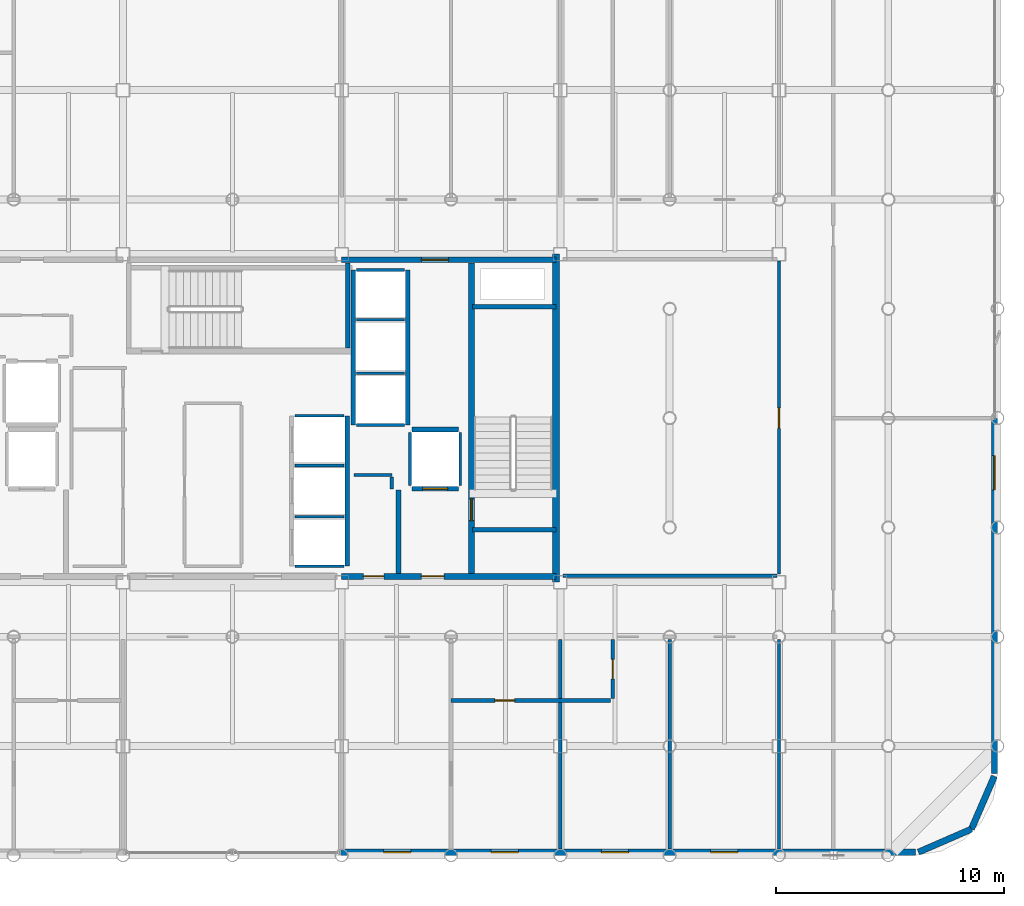
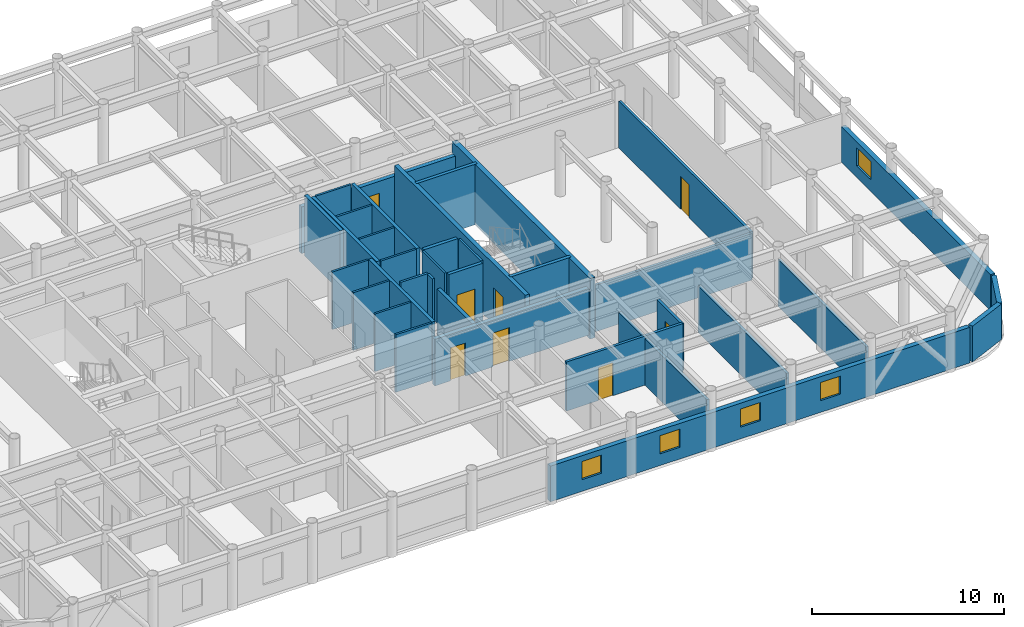
# One storey, part 20 of 22: 36 walls, 8 doors, 5 windows, 13 openings.
"""IFC4 building model written with IfcOpenShell, lengths in metres."""

from ifc_helpers import new_model, si_unit, direction, frame, frame_2d, origin, place, context, subcontext, project, spatial, rectangle, extrude, material, layer, layer_set, type_object, element, fill, save


model = new_model("IFC4")

# Units and contexts
model_context = context("Model", 3, precision=1e-05, world=origin(), true_north=direction((0.0, 1.0)))
body_context = subcontext(model_context, "Body", "Model", "MODEL_VIEW")
ifc_project = project(units=[si_unit("LENGTHUNIT", "METRE"), si_unit("AREAUNIT", "SQUARE_METRE"), si_unit("VOLUMEUNIT", "CUBIC_METRE"), si_unit("PLANEANGLEUNIT", "RADIAN"), si_unit("MASSUNIT", "GRAM", prefix="KILO")], contexts=[model_context])

# Site, building, storey
site_placement = place(None, origin())
site = spatial("IfcSite", under=ifc_project, at=site_placement, CompositionType="ELEMENT")
building_placement = place(site_placement, origin())
building = spatial("IfcBuilding", under=site, at=building_placement, Name="Kallvorn Hotel Tower", CompositionType="ELEMENT")
storey_placement = place(building_placement, frame((0.0, 0.0, 241.550048828125)))
storey = spatial("IfcBuildingStorey", under=building, at=storey_placement, Name="L60", CompositionType="ELEMENT", Elevation=241.550048828125)

# Wall
ifc_material_1 = material(Name="Concrete C50/60", Category="concrete")
ifc_layer_1 = layer(ifc_material_1, 0.300048828125)
ifc_layer_set_1 = layer_set([ifc_layer_1], Name="WL_CORE_300")
wall_type_1 = type_object("IfcWallType", Name="WL_CORE_300", PredefinedType="SHEAR", material=ifc_layer_set_1)
wall_1_placement = place(storey_placement, frame((14.215087890625, -7.199951171875, -0.179931640625), z_axis=(0.0, 0.0, 1.0), x_axis=(0.0, 1.0, 0.0)))
element("IfcWall", 1, at=wall_1_placement, inside=storey, type_object=wall_type_1, Name="L60 Core East Shear Wall", PredefinedType="SHEAR", context=body_context, shape_type="SweptSolid", body=[
    extrude(rectangle(XDim=14.39990234375, YDim=0.300048828125, at=frame_2d((7.199951171875, 0.0))), origin(), (0.0, 0.0, 1.0), 3.849853515625),
])

# Wall, opening, door
ifc_material_2 = material(Name="Fire-rated double-layer acoustic gypsum drywall EI 60")
ifc_layer_2 = layer(ifc_material_2, 0.159912109375)
ifc_layer_set_2 = layer_set([ifc_layer_2], Name="WL_DEMISE_160")
wall_type_2 = type_object("IfcWallType", Name="WL_DEMISE_160", PredefinedType="PARTITIONING", material=ifc_layer_set_2)
wall_2_placement = place(storey_placement, frame((9.60009765625, -12.39501953125, 0.0), z_axis=(0.0, 0.0, 1.0), x_axis=(1.0, 0.0, 0.0)))
wall_2 = element("IfcWall", 2, at=wall_2_placement, inside=storey, type_object=wall_type_2, Name="L60 Suite 6003 Executive Bedroom Partition", PredefinedType="PARTITIONING", context=body_context, shape_type="SweptSolid", body=[
    extrude(rectangle(XDim=7.010009765625, YDim=0.159912109375, at=frame_2d((3.5048828125, 0.0))), origin(), (0.0, 0.0, 1.0), 3.119873046875),
])
opening_1_placement = place(wall_2_placement, frame((1.929931640625, 0.0, 0.0)))
opening_1 = element("IfcOpeningElement", 3, at=opening_1_placement, cuts=wall_2, Name="Opening BD-I", PredefinedType="OPENING", context=body_context, shape_type="SweptSolid", body=[
    extrude(rectangle(XDim=0.860107421875, YDim=2.10009765625, at=frame_2d((0.43017578125, 1.050048828125))), frame((0.0, 0.094970703125, 0.0), z_axis=(0.0, -1.0, 0.0), x_axis=(1.0, 0.0, 0.0)), (0.0, 0.0, 1.0), 0.18994140625),
])
ifc_material_3 = material(Name="Solid-core walnut veneer fire-rated timber door leaf", Category="wood")
door_type_1 = type_object("IfcDoorType", Name="DR_BATH_860x2100", OperationType="NOTDEFINED", PredefinedType="DOOR", material=ifc_material_3)
door_1_placement = place(opening_1_placement, origin())
door_1 = element("IfcDoor", 4, at=door_1_placement, inside=storey, type_object=door_type_1, Name="L60 Suite 6003 En-Suite Bathroom Door", OperationType="SINGLE_SWING_RIGHT", OverallHeight=2.10009765625, OverallWidth=0.860107421875, PredefinedType="DOOR", context=body_context, shape_type="SweptSolid", body=[
    extrude(rectangle(XDim=0.860107421875, YDim=2.10009765625, at=frame_2d((0.43017578125, 1.050048828125))), frame((0.0, 0.02490234375, 0.0), z_axis=(0.0, -1.0, 0.0), x_axis=(1.0, 0.0, 0.0)), (0.0, 0.0, 1.0), 0.050048828125),
])
fill(opening_1, door_1)

# Wall
wall_3_placement = place(storey_placement, frame((14.39990234375, -18.909912109375, 0.0), z_axis=(0.0, 0.0, 1.0), x_axis=(0.0, 1.0, 0.0)))
element("IfcWall", 5, at=wall_3_placement, inside=storey, type_object=wall_type_2, Name="L60 Suite 6003 Executive Bedroom Partition", PredefinedType="PARTITIONING", context=body_context, shape_type="SweptSolid", body=[
    extrude(rectangle(XDim=9.18994140625, YDim=0.159912109375, at=frame_2d((4.594970703125, 0.0))), origin(), (0.0, 0.0, 1.0), 2.969970703125),
])

# Wall, opening, door
wall_4_placement = place(storey_placement, frame((16.705078125, -12.31005859375, 0.0), z_axis=(0.0, 0.0, 1.0), x_axis=(0.0, 1.0, 0.0)))
wall_4 = element("IfcWall", 6, at=wall_4_placement, inside=storey, type_object=wall_type_2, Name="L60 Suite 6004 Deluxe King Room Partition", PredefinedType="PARTITIONING", context=body_context, shape_type="SweptSolid", body=[
    extrude(rectangle(XDim=2.590087890625, YDim=0.159912109375, at=frame_2d((1.294921875, 0.0))), origin(), (0.0, 0.0, 1.0), 2.969970703125),
])
opening_2_placement = place(wall_4_placement, frame((0.860107421875, 0.0, 0.0)))
opening_2 = element("IfcOpeningElement", 7, at=opening_2_placement, cuts=wall_4, Name="Opening BD-I", PredefinedType="OPENING", context=body_context, shape_type="SweptSolid", body=[
    extrude(rectangle(XDim=0.860107421875, YDim=2.10009765625, at=frame_2d((0.43017578125, 1.050048828125))), frame((0.0, 0.094970703125, 0.0), z_axis=(0.0, -1.0, 0.0), x_axis=(1.0, 0.0, 0.0)), (0.0, 0.0, 1.0), 0.18994140625),
])
door_2_placement = place(opening_2_placement, origin())
door_2 = element("IfcDoor", 8, at=door_2_placement, inside=storey, type_object=door_type_1, Name="L60 Suite 6004 En-Suite Bathroom Door", OperationType="SINGLE_SWING_RIGHT", OverallHeight=2.10009765625, OverallWidth=0.860107421875, PredefinedType="DOOR", context=body_context, shape_type="SweptSolid", body=[
    extrude(rectangle(XDim=0.860107421875, YDim=2.10009765625, at=frame_2d((0.43017578125, 1.050048828125))), frame((0.0, 0.02490234375, 0.0), z_axis=(0.0, -1.0, 0.0), x_axis=(1.0, 0.0, 0.0)), (0.0, 0.0, 1.0), 0.050048828125),
])
fill(opening_2, door_2)

# Walls
wall_5_placement = place(storey_placement, frame((19.199951171875, -18.909912109375, 0.0), z_axis=(0.0, 0.0, 1.0), x_axis=(0.0, 1.0, 0.0)))
element("IfcWall", 9, at=wall_5_placement, inside=storey, type_object=wall_type_2, Name="L60 Suite 6004 Deluxe King Room Partition", PredefinedType="PARTITIONING", context=body_context, shape_type="SweptSolid", body=[
    extrude(rectangle(XDim=9.18994140625, YDim=0.159912109375, at=frame_2d((4.594970703125, 0.0))), origin(), (0.0, 0.0, 1.0), 2.969970703125),
])
ifc_material_4 = material(Name="Precast basalt-clad insulated concrete wall C40/50", Category="masonry")
ifc_layer_3 = layer(ifc_material_4, 0.280029296875)
ifc_layer_set_3 = layer_set([ifc_layer_3], Name="WL_EXT_LOGGIA_280")
wall_type_3 = type_object("IfcWallType", Name="WL_EXT_LOGGIA_280", PredefinedType="SOLIDWALL", material=ifc_layer_set_3)
wall_6_placement = place(storey_placement, frame((30.120849609375, -19.057861328125, 0.0), z_axis=(0.0, 0.0, 1.0), x_axis=(0.917060872934, 0.398747232384, 0.0)))
element("IfcWall", 10, at=wall_6_placement, inside=storey, type_object=wall_type_3, Name="L60 Rounded Corner Exterior Wall SE1", PredefinedType="SOLIDWALL", context=body_context, shape_type="SweptSolid", body=[
    extrude(rectangle(XDim=2.5361328125, YDim=0.280029296875, at=frame_2d((1.26806640625, 0.0))), origin(), (0.0, 0.0, 1.0), 2.27001953125),
])
wall_7_placement = place(storey_placement, frame((32.446533203125, -18.046630859375, 0.0), z_axis=(0.0, 0.0, 1.0), x_axis=(0.398792985289, 0.917040977756, 0.0)))
element("IfcWall", 11, at=wall_7_placement, inside=storey, type_object=wall_type_3, Name="L60 Rounded Corner Exterior Wall SE2", PredefinedType="SOLIDWALL", context=body_context, shape_type="SweptSolid", body=[
    extrude(rectangle(XDim=2.536376953125, YDim=0.280029296875, at=frame_2d((1.26806640625, 0.0))), origin(), (0.0, 0.0, 1.0), 2.27001953125),
])

# Wall, openings, windows
wall_8_placement = place(storey_placement, frame((4.75, -19.06005859375, 0.0), z_axis=(0.0, 0.0, 1.0), x_axis=(1.0, 0.0, 0.0)))
wall_8 = element("IfcWall", 12, at=wall_8_placement, inside=storey, type_object=wall_type_3, Name="L60 Exterior Envelope Wall EW-L60-SE", PredefinedType="SOLIDWALL", context=body_context, shape_type="SweptSolid", body=[
    extrude(rectangle(XDim=25.25, YDim=0.280029296875, at=frame_2d((12.625, 0.0))), origin(), (0.0, 0.0, 1.0), 2.27001953125),
])
opening_3_placement = place(wall_8_placement, frame((16.25, 0.0, 0.75)))
opening_3 = element("IfcOpeningElement", 13, at=opening_3_placement, cuts=wall_8, Name="Opening W06A", PredefinedType="OPENING", context=body_context, shape_type="SweptSolid", body=[
    extrude(rectangle(XDim=1.199951171875, YDim=1.14990234375, at=frame_2d((0.60009765625, 0.574951171875))), frame((0.0, 0.155029296875, 0.0), z_axis=(0.0, -1.0, 0.0), x_axis=(1.0, 0.0, 0.0)), (0.0, 0.0, 1.0), 0.31005859375),
])
opening_4_placement = place(wall_8_placement, frame((1.889892578125, 0.0, 0.75)))
opening_4 = element("IfcOpeningElement", 14, at=opening_4_placement, cuts=wall_8, Name="Opening W06A", PredefinedType="OPENING", context=body_context, shape_type="SweptSolid", body=[
    extrude(rectangle(XDim=1.199951171875, YDim=1.14990234375, at=frame_2d((0.60009765625, 0.574951171875))), frame((0.0, 0.155029296875, 0.0), z_axis=(0.0, -1.0, 0.0), x_axis=(1.0, 0.0, 0.0)), (0.0, 0.0, 1.0), 0.31005859375),
])
opening_5_placement = place(wall_8_placement, frame((6.610107421875, 0.0, 0.75)))
opening_5 = element("IfcOpeningElement", 15, at=opening_5_placement, cuts=wall_8, Name="Opening W06A", PredefinedType="OPENING", context=body_context, shape_type="SweptSolid", body=[
    extrude(rectangle(XDim=1.199951171875, YDim=1.14990234375, at=frame_2d((0.60009765625, 0.574951171875))), frame((0.0, 0.155029296875, 0.0), z_axis=(0.0, -1.0, 0.0), x_axis=(1.0, 0.0, 0.0)), (0.0, 0.0, 1.0), 0.31005859375),
])
opening_6_placement = place(wall_8_placement, frame((11.449951171875, 0.0, 0.75)))
opening_6 = element("IfcOpeningElement", 16, at=opening_6_placement, cuts=wall_8, Name="Opening W06A", PredefinedType="OPENING", context=body_context, shape_type="SweptSolid", body=[
    extrude(rectangle(XDim=1.199951171875, YDim=1.14990234375, at=frame_2d((0.60009765625, 0.574951171875))), frame((0.0, 0.155029296875, 0.0), z_axis=(0.0, -1.0, 0.0), x_axis=(1.0, 0.0, 0.0)), (0.0, 0.0, 1.0), 0.31005859375),
])
ifc_material_5 = material(Name="Triple-glazed low-e acoustic solar-control dark glass", Category="glass")
window_type_1 = type_object("IfcWindowType", Name="WN_HTL_1200x1150", PartitioningType="SINGLE_PANEL", PredefinedType="WINDOW", material=ifc_material_5)
window_1_placement = place(opening_3_placement, origin())
window_1 = element("IfcWindow", 17, at=window_1_placement, inside=storey, type_object=window_type_1, Name="L60 Guestroom Exterior Window 01", OverallHeight=1.14990234375, OverallWidth=1.199951171875, PartitioningType="SINGLE_PANEL", PredefinedType="WINDOW", context=body_context, shape_type="SweptSolid", body=[
    extrude(rectangle(XDim=1.199951171875, YDim=1.14990234375, at=frame_2d((0.60009765625, 0.574951171875))), frame((0.0, 0.030029296875, 0.0), z_axis=(0.0, -1.0, 0.0), x_axis=(1.0, 0.0, 0.0)), (0.0, 0.0, 1.0), 0.06005859375),
])
fill(opening_3, window_1)
window_2_placement = place(opening_4_placement, origin())
window_2 = element("IfcWindow", 18, at=window_2_placement, inside=storey, type_object=window_type_1, Name="L60 Guestroom Exterior Window 07", OverallHeight=1.14990234375, OverallWidth=1.199951171875, PartitioningType="SINGLE_PANEL", PredefinedType="WINDOW", context=body_context, shape_type="SweptSolid", body=[
    extrude(rectangle(XDim=1.199951171875, YDim=1.14990234375, at=frame_2d((0.60009765625, 0.574951171875))), frame((0.0, 0.030029296875, 0.0), z_axis=(0.0, -1.0, 0.0), x_axis=(1.0, 0.0, 0.0)), (0.0, 0.0, 1.0), 0.06005859375),
])
fill(opening_4, window_2)
window_3_placement = place(opening_5_placement, origin())
window_3 = element("IfcWindow", 19, at=window_3_placement, inside=storey, type_object=window_type_1, Name="L60 Guestroom Exterior Window 08", OverallHeight=1.14990234375, OverallWidth=1.199951171875, PartitioningType="SINGLE_PANEL", PredefinedType="WINDOW", context=body_context, shape_type="SweptSolid", body=[
    extrude(rectangle(XDim=1.199951171875, YDim=1.14990234375, at=frame_2d((0.60009765625, 0.574951171875))), frame((0.0, 0.030029296875, 0.0), z_axis=(0.0, -1.0, 0.0), x_axis=(1.0, 0.0, 0.0)), (0.0, 0.0, 1.0), 0.06005859375),
])
fill(opening_5, window_3)
window_4_placement = place(opening_6_placement, origin())
window_4 = element("IfcWindow", 20, at=window_4_placement, inside=storey, type_object=window_type_1, Name="L60 Guestroom Exterior Window 09", OverallHeight=1.14990234375, OverallWidth=1.199951171875, PartitioningType="SINGLE_PANEL", PredefinedType="WINDOW", context=body_context, shape_type="SweptSolid", body=[
    extrude(rectangle(XDim=1.199951171875, YDim=1.14990234375, at=frame_2d((0.60009765625, 0.574951171875))), frame((0.0, 0.030029296875, 0.0), z_axis=(0.0, -1.0, 0.0), x_axis=(1.0, 0.0, 0.0)), (0.0, 0.0, 1.0), 0.06005859375),
])
fill(opening_6, window_4)

# Wall, opening, window
wall_9_placement = place(storey_placement, frame((33.4599609375, -15.60009765625, 0.0), z_axis=(0.0, 0.0, 1.0), x_axis=(0.0, 1.0, 0.0)))
wall_9 = element("IfcWall", 21, at=wall_9_placement, inside=storey, type_object=wall_type_3, Name="L60 Exterior Envelope Wall EW-L60-ES", PredefinedType="SOLIDWALL", context=body_context, shape_type="SweptSolid", body=[
    extrude(rectangle(XDim=15.580078125, YDim=0.280029296875, at=frame_2d((7.7900390625, 0.0))), origin(), (0.0, 0.0, 1.0), 2.27001953125),
])
opening_7_placement = place(wall_9_placement, frame((12.449951171875, 0.0, 0.75)))
opening_7 = element("IfcOpeningElement", 22, at=opening_7_placement, cuts=wall_9, Name="Opening W05A", PredefinedType="OPENING", context=body_context, shape_type="SweptSolid", body=[
    extrude(rectangle(XDim=1.5, YDim=1.14990234375, at=frame_2d((0.75, 0.574951171875))), frame((0.0, 0.155029296875, 0.0), z_axis=(0.0, -1.0, 0.0), x_axis=(1.0, 0.0, 0.0)), (0.0, 0.0, 1.0), 0.31005859375),
])
ifc_material_6 = material(Name="Double-glazed low-e solar-control dark glass", Category="glass")
window_type_2 = type_object("IfcWindowType", Name="WN_HTL_1500x1150", PartitioningType="SINGLE_PANEL", PredefinedType="WINDOW", material=ifc_material_6)
window_5_placement = place(opening_7_placement, origin())
window_5 = element("IfcWindow", 23, at=window_5_placement, inside=storey, type_object=window_type_2, Name="L60 Flank Wing Window 03", OverallHeight=1.14990234375, OverallWidth=1.5, PartitioningType="SINGLE_PANEL", PredefinedType="WINDOW", context=body_context, shape_type="SweptSolid", body=[
    extrude(rectangle(XDim=1.5, YDim=1.14990234375, at=frame_2d((0.75, 0.574951171875))), frame((0.0, 0.030029296875, 0.0), z_axis=(0.0, -1.0, 0.0), x_axis=(1.0, 0.0, 0.0)), (0.0, 0.0, 1.0), 0.06005859375),
])
fill(opening_7, window_5)

# Walls
ifc_material_7 = material(Name="Concrete C40/50", Category="concrete")
ifc_layer_4 = layer(ifc_material_7, 0.219970703125)
ifc_layer_set_4 = layer_set([ifc_layer_4], Name="WL_FFL_220")
wall_type_4 = type_object("IfcWallType", Name="WL_FFL_220", PredefinedType="SOLIDWALL", material=ifc_layer_set_4)
wall_10_placement = place(storey_placement, frame((7.300048828125, -6.820068359375, 0.0), z_axis=(0.0, 0.0, 1.0), x_axis=(0.0, 1.0, 0.0)))
element("IfcWall", 24, at=wall_10_placement, inside=storey, type_object=wall_type_4, Name="L60 Firefighting Lobby East Divider Wall", PredefinedType="SOLIDWALL", context=body_context, shape_type="SweptSolid", body=[
    extrude(rectangle(XDim=3.670166015625, YDim=0.219970703125, at=frame_2d((1.8349609375, 0.0))), origin(), (0.0, 0.0, 1.0), 2.969970703125),
])
ifc_material_8 = material(Name="Concrete C40/50", Category="concrete")
ifc_layer_5 = layer(ifc_material_8, 0.199951171875)
ifc_layer_set_5 = layer_set([ifc_layer_5], Name="WL_HOIST_200")
wall_type_5 = type_object("IfcWallType", Name="WL_HOIST_200", PredefinedType="SOLIDWALL", material=ifc_layer_set_5)
for number, where, z_axis, x_axis, name in (
    (25, (10.550048828125, -4.89990234375, -0.179931640625), (0.0, 0.0, 1.0), (1.0, 0.0, 0.0), "L60 Stair ST2 South Wall"),
    (26, (10.550048828125, 4.89990234375, -0.179931640625), (0.0, 0.0, 1.0), (1.0, 0.0, 0.0), "L60 Stair ST2 North Wall"),
):
    element("IfcWall", number, at=place(storey_placement, frame(where, z_axis=z_axis, x_axis=x_axis)), inside=storey, type_object=wall_type_5, Name=name, PredefinedType="SOLIDWALL", context=body_context, shape_type="SweptSolid", body=[
        extrude(rectangle(XDim=3.64990234375, YDim=0.199951171875, at=frame_2d((1.824951171875, 0.0))), origin(), (0.0, 0.0, 1.0), 3.849853515625),
    ])
wall_11_placement = place(storey_placement, frame((5.06005859375, 3.080078125, -0.179931640625), z_axis=(0.0, 0.0, 1.0), x_axis=(0.0, 1.0, 0.0)))
element("IfcWall", 27, at=wall_11_placement, inside=storey, type_object=wall_type_5, Name="L60 Stair ST3 East Wall", PredefinedType="SOLIDWALL", context=body_context, shape_type="SweptSolid", body=[
    extrude(rectangle(XDim=3.739990234375, YDim=0.199951171875, at=frame_2d((1.8701171875, 0.0))), origin(), (0.0, 0.0, 1.0), 3.849853515625),
])
wall_12_placement = place(storey_placement, frame((5.050048828125, -6.5, 0.0), z_axis=(0.0, 0.0, 1.0), x_axis=(0.0, 1.0, 0.0)))
element("IfcWall", 28, at=wall_12_placement, inside=storey, type_object=wall_type_5, Name="L60 Lift Bank B3A Rear Shaft Wall", PredefinedType="SOLIDWALL", context=body_context, shape_type="SweptSolid", body=[
    extrude(rectangle(XDim=6.60009765625, YDim=0.199951171875, at=frame_2d((3.300048828125, 0.0))), origin(), (0.0, 0.0, 1.0), 3.669921875),
])
for number, where, z_axis, x_axis, name in (
    (29, (7.699951171875, -0.300048828125, 0.0), (0.0, 0.0, 1.0), (0.0, 1.0, 0.0), "L60 Lift Bank OBS Landing Wall"),
    (30, (5.300048828125, -0.300048828125, 0.0), (0.0, 0.0, 1.0), (0.0, 1.0, 0.0), "L60 Lift Bank OBS Rear Shaft Wall"),
):
    element("IfcWall", number, at=place(storey_placement, frame(where, z_axis=z_axis, x_axis=x_axis)), inside=storey, type_object=wall_type_5, Name=name, PredefinedType="SOLIDWALL", context=body_context, shape_type="SweptSolid", body=[
        extrude(rectangle(XDim=6.800048828125, YDim=0.199951171875, at=frame_2d((3.39990234375, 0.0))), origin(), (0.0, 0.0, 1.0), 3.669921875),
    ])

# Wall, opening, door
wall_13_placement = place(storey_placement, frame((7.8798828125, -3.10009765625, 0.0), z_axis=(0.0, 0.0, 1.0), x_axis=(1.0, 0.0, 0.0)))
wall_13 = element("IfcWall", 31, at=wall_13_placement, inside=storey, type_object=wall_type_5, Name="L60 FL-2 Landing Wall", PredefinedType="SOLIDWALL", context=body_context, shape_type="SweptSolid", body=[
    extrude(rectangle(XDim=2.0400390625, YDim=0.199951171875, at=frame_2d((1.02001953125, 0.0))), origin(), (0.0, 0.0, 1.0), 3.669921875),
])
opening_8_placement = place(wall_13_placement, frame((0.469970703125, 0.0, 0.0)))
opening_8 = element("IfcOpeningElement", 32, at=opening_8_placement, cuts=wall_13, Name="Opening LD-FL-2", PredefinedType="OPENING", context=body_context, shape_type="SweptSolid", body=[
    extrude(rectangle(XDim=1.10009765625, YDim=2.199951171875, at=frame_2d((0.550048828125, 1.10009765625))), frame((0.0, 0.114990234375, 0.0), z_axis=(0.0, -1.0, 0.0), x_axis=(1.0, 0.0, 0.0)), (0.0, 0.0, 1.0), 0.22998046875),
])
ifc_material_9 = material(Name="Brushed stainless-steel automatic sliding lift landing door", Category="steel")
door_type_2 = type_object("IfcDoorType", Name="LD_PASS_1100x2200", OperationType="SLIDING_TO_LEFT", PredefinedType="DOOR", material=ifc_material_9)
door_3_placement = place(opening_8_placement, origin())
door_3 = element("IfcDoor", 33, at=door_3_placement, inside=storey, type_object=door_type_2, Name="L60 Lift Landing Sliding Door LD-FL-2", OperationType="SLIDING_TO_LEFT", OverallHeight=2.199951171875, OverallWidth=1.10009765625, PredefinedType="DOOR", context=body_context, shape_type="SweptSolid", body=[
    extrude(rectangle(XDim=1.10009765625, YDim=2.199951171875, at=frame_2d((0.550048828125, 1.10009765625))), frame((0.0, 0.02490234375, 0.0), z_axis=(0.0, -1.0, 0.0), x_axis=(1.0, 0.0, 0.0)), (0.0, 0.0, 1.0), 0.050048828125),
])
fill(opening_8, door_3)

# Walls
wall_14_placement = place(storey_placement, frame((7.8798828125, -0.5, 0.0), z_axis=(0.0, 0.0, 1.0), x_axis=(1.0, 0.0, 0.0)))
element("IfcWall", 34, at=wall_14_placement, inside=storey, type_object=wall_type_5, Name="L60 FL-2 Rear Shaft Wall", PredefinedType="SOLIDWALL", context=body_context, shape_type="SweptSolid", body=[
    extrude(rectangle(XDim=2.0400390625, YDim=0.199951171875, at=frame_2d((1.02001953125, 0.0))), origin(), (0.0, 0.0, 1.0), 3.669921875),
])
ifc_material_10 = material(Name="Fire-rated double-layer acoustic gypsum drywall EI 60")
ifc_layer_6 = layer(ifc_material_10, 0.1201171875)
ifc_layer_set_6 = layer_set([ifc_layer_6], Name="WL_INT_120")
wall_type_6 = type_object("IfcWallType", Name="WL_INT_120", PredefinedType="PARTITIONING", material=ifc_layer_set_6)
for number, where, z_axis, x_axis, name in (
    (35, (2.739990234375, -6.5, 0.0), (0.0, 0.0, 1.0), (1.0, 0.0, 0.0), "L60 Lift Bank B3A South Closure Wall"),
    (36, (2.739990234375, -4.324951171875, 0.0), (0.0, 0.0, 1.0), (1.0, 0.0, 0.0), "L60 PL-09 Hoistway Divider"),
    (37, (2.739990234375, -2.074951171875, 0.0), (0.0, 0.0, 1.0), (1.0, 0.0, 0.0), "L60 PL-10 Hoistway Divider"),
    (38, (2.739990234375, 0.10009765625, 0.0), (0.0, 0.0, 1.0), (1.0, 0.0, 0.0), "L60 PL-11 Hoistway Divider"),
):
    element("IfcWall", number, at=place(storey_placement, frame(where, z_axis=z_axis, x_axis=x_axis)), inside=storey, type_object=wall_type_6, Name=name, PredefinedType="PARTITIONING", context=body_context, shape_type="SweptSolid", body=[
        extrude(rectangle(XDim=2.169921875, YDim=0.1201171875, at=frame_2d((1.0849609375, 0.0))), origin(), (0.0, 0.0, 1.0), 3.669921875),
    ])
for number, where, z_axis, x_axis, name in (
    (39, (5.43994140625, -0.300048828125, 0.0), (0.0, 0.0, 1.0), (1.0, 0.0, 0.0), "L60 Lift Bank OBS South Closure Wall"),
    (40, (5.43994140625, 1.97509765625, 0.0), (0.0, 0.0, 1.0), (1.0, 0.0, 0.0), "L60 OB-01 Hoistway Divider"),
    (41, (5.43994140625, 4.324951171875, 0.0), (0.0, 0.0, 1.0), (1.0, 0.0, 0.0), "L60 OB-02 Hoistway Divider"),
    (42, (5.43994140625, 6.5, 0.0), (0.0, 0.0, 1.0), (1.0, 0.0, 0.0), "L60 OB-03 Hoistway Divider"),
):
    element("IfcWall", number, at=place(storey_placement, frame(where, z_axis=z_axis, x_axis=x_axis)), inside=storey, type_object=wall_type_6, Name=name, PredefinedType="PARTITIONING", context=body_context, shape_type="SweptSolid", body=[
        extrude(rectangle(XDim=2.1201171875, YDim=0.1201171875, at=frame_2d((1.06005859375, 0.0))), origin(), (0.0, 0.0, 1.0), 3.669921875),
    ])
for number, where, z_axis, x_axis, name in (
    (43, (7.800048828125, -2.9599609375, 0.0), (0.0, 0.0, 1.0), (0.0, 1.0, 0.0), "L60 FL-2 West Shaft Wall"),
    (44, (10.0, -2.9599609375, 0.0), (0.0, 0.0, 1.0), (0.0, 1.0, 0.0), "L60 FL-2 East Shaft Wall"),
):
    element("IfcWall", number, at=place(storey_placement, frame(where, z_axis=z_axis, x_axis=x_axis)), inside=storey, type_object=wall_type_6, Name=name, PredefinedType="PARTITIONING", context=body_context, shape_type="SweptSolid", body=[
        extrude(rectangle(XDim=2.320068359375, YDim=0.1201171875, at=frame_2d((1.16015625, 0.0))), origin(), (0.0, 0.0, 1.0), 3.669921875),
    ])
ifc_material_11 = material(Name="Fire-rated double-layer acoustic gypsum drywall EI 60")
ifc_layer_7 = layer(ifc_material_11, 0.14990234375)
ifc_layer_set_7 = layer_set([ifc_layer_7], Name="WL_PART_150")
wall_type_7 = type_object("IfcWallType", Name="WL_PART_150", PredefinedType="PARTITIONING", material=ifc_layer_set_7)
wall_15_placement = place(storey_placement, frame((14.52001953125, -6.919921875, 0.0), z_axis=(0.0, 0.0, 1.0), x_axis=(1.0, 0.0, 0.0)))
element("IfcWall", 45, at=wall_15_placement, inside=storey, type_object=wall_type_7, Name="L60 L60 High-Zone Inner East Club Gallery Partition", PredefinedType="PARTITIONING", context=body_context, shape_type="SweptSolid", body=[
    extrude(rectangle(XDim=9.39990234375, YDim=0.14990234375, at=frame_2d((4.699951171875, 0.0))), origin(), (0.0, 0.0, 1.0), 2.969970703125),
])
wall_16_placement = place(storey_placement, frame((24.0, -18.909912109375, 0.0), z_axis=(0.0, 0.0, 1.0), x_axis=(0.0, 1.0, 0.0)))
element("IfcWall", 46, at=wall_16_placement, inside=storey, type_object=wall_type_7, Name="L60 L60 High-Zone South-East Wine Bar Partition", PredefinedType="PARTITIONING", context=body_context, shape_type="SweptSolid", body=[
    extrude(rectangle(XDim=9.18994140625, YDim=0.14990234375, at=frame_2d((4.594970703125, 0.0))), origin(), (0.0, 0.0, 1.0), 2.969970703125),
])

# Wall, opening, door
wall_17_placement = place(storey_placement, frame((24.0, -6.8349609375, 0.0), z_axis=(0.0, 0.0, 1.0), x_axis=(0.0, 1.0, 0.0)))
wall_17 = element("IfcWall", 47, at=wall_17_placement, inside=storey, type_object=wall_type_7, Name="L60 L60 High-Zone Inner East Club Gallery Partition", PredefinedType="PARTITIONING", context=body_context, shape_type="SweptSolid", body=[
    extrude(rectangle(XDim=13.72998046875, YDim=0.14990234375, at=frame_2d((6.864990234375, 0.0))), origin(), (0.0, 0.0, 1.0), 2.969970703125),
])
opening_9_placement = place(wall_17_placement, frame((6.385009765625, 0.0, 0.0)))
opening_9 = element("IfcOpeningElement", 48, at=opening_9_placement, cuts=wall_17, Name="Opening SVD1", PredefinedType="OPENING", context=body_context, shape_type="SweptSolid", body=[
    extrude(rectangle(XDim=0.89990234375, YDim=2.10009765625, at=frame_2d((0.449951171875, 1.050048828125))), frame((0.0, 0.08984375, 0.0), z_axis=(0.0, -1.0, 0.0), x_axis=(1.0, 0.0, 0.0)), (0.0, 0.0, 1.0), 0.179931640625),
])
ifc_material_12 = material(Name="Galvanised painted steel fire-rated door assembly", Category="steel")
door_type_3 = type_object("IfcDoorType", Name="DR_SERV_900x2100", OperationType="NOTDEFINED", PredefinedType="DOOR", material=ifc_material_12)
door_4_placement = place(opening_9_placement, origin())
door_4 = element("IfcDoor", 49, at=door_4_placement, inside=storey, type_object=door_type_3, Name="L60 L60 High-Zone Inner East Club Gallery Door", OperationType="SINGLE_SWING_RIGHT", OverallHeight=2.10009765625, OverallWidth=0.89990234375, PredefinedType="DOOR", context=body_context, shape_type="SweptSolid", body=[
    extrude(rectangle(XDim=0.89990234375, YDim=2.10009765625, at=frame_2d((0.449951171875, 1.050048828125))), frame((0.0, 0.02490234375, 0.0), z_axis=(0.0, -1.0, 0.0), x_axis=(1.0, 0.0, 0.0)), (0.0, 0.0, 1.0), 0.050048828125),
])
fill(opening_9, door_4)

# Walls
ifc_material_13 = material(Name="Moisture-resistant acoustic plumbing chase wall EI 60")
ifc_layer_8 = layer(ifc_material_13, 0.139892578125)
ifc_layer_set_8 = layer_set([ifc_layer_8], Name="WL_PLUMB_140")
wall_type_8 = type_object("IfcWallType", Name="WL_PLUMB_140", PredefinedType="PLUMBINGWALL", material=ifc_layer_set_8)
wall_18_placement = place(storey_placement, frame((5.35009765625, -2.5, 0.0), z_axis=(0.0, 0.0, 1.0), x_axis=(1.0, 0.0, 0.0)))
element("IfcWall", 50, at=wall_18_placement, inside=storey, type_object=wall_type_8, Name="L60 Core Accessible Staff WC Partition", PredefinedType="PLUMBINGWALL", context=body_context, shape_type="SweptSolid", body=[
    extrude(rectangle(XDim=1.64990234375, YDim=0.139892578125, at=frame_2d((0.824951171875, 0.0))), origin(), (0.0, 0.0, 1.0), 3.669921875),
])
wall_19_placement = place(storey_placement, frame((7.0, -3.110107421875, 0.0), z_axis=(0.0, 0.0, 1.0), x_axis=(0.0, 1.0, 0.0)))
element("IfcWall", 51, at=wall_19_placement, inside=storey, type_object=wall_type_8, Name="L60 Core Accessible Staff WC Partition", PredefinedType="PLUMBINGWALL", context=body_context, shape_type="SweptSolid", body=[
    extrude(rectangle(XDim=0.525146484375, YDim=0.139892578125, at=frame_2d((0.2626953125, 0.0))), origin(), (0.0, 0.0, 1.0), 3.669921875),
])

# Wall, openings, doors
ifc_material_14 = material(Name="Concrete C40/50", Category="concrete")
ifc_layer_9 = layer(ifc_material_14, 0.25)
ifc_layer_set_9 = layer_set([ifc_layer_9], Name="WL_SHAFT_250")
wall_type_9 = type_object("IfcWallType", Name="WL_SHAFT_250", PredefinedType="SOLIDWALL", material=ifc_layer_set_9)
wall_20_placement = place(storey_placement, frame((4.800048828125, -6.949951171875, 0.0), z_axis=(0.0, 0.0, 1.0), x_axis=(1.0, 0.0, 0.0)))
wall_20 = element("IfcWall", 52, at=wall_20_placement, inside=storey, type_object=wall_type_9, Name="L60 Core South-East Wall", PredefinedType="SOLIDWALL", context=body_context, shape_type="SweptSolid", body=[
    extrude(rectangle(XDim=9.39990234375, YDim=0.25, at=frame_2d((4.699951171875, 0.0))), origin(), (0.0, 0.0, 1.0), 2.969970703125),
])
opening_10_placement = place(wall_20_placement, frame((3.5, 0.0, 0.0)))
opening_10 = element("IfcOpeningElement", 53, at=opening_10_placement, cuts=wall_20, Name="Opening FD1", PredefinedType="OPENING", context=body_context, shape_type="SweptSolid", body=[
    extrude(rectangle(XDim=1.0, YDim=2.14990234375, at=frame_2d((0.5, 1.074951171875))), frame((0.0, 0.139892578125, 0.0), z_axis=(0.0, -1.0, 0.0), x_axis=(1.0, 0.0, 0.0)), (0.0, 0.0, 1.0), 0.280029296875),
])
opening_11_placement = place(wall_20_placement, frame((0.949951171875, 0.0, 0.0)))
opening_11 = element("IfcOpeningElement", 54, at=opening_11_placement, cuts=wall_20, Name="Opening SVD1", PredefinedType="OPENING", context=body_context, shape_type="SweptSolid", body=[
    extrude(rectangle(XDim=0.89990234375, YDim=2.10009765625, at=frame_2d((0.449951171875, 1.050048828125))), frame((0.0, 0.139892578125, 0.0), z_axis=(0.0, -1.0, 0.0), x_axis=(1.0, 0.0, 0.0)), (0.0, 0.0, 1.0), 0.280029296875),
])
ifc_material_15 = material(Name="Galvanised painted steel fire-rated door assembly", Category="steel")
door_type_4 = type_object("IfcDoorType", Name="DR_FFL_1000x2150", OperationType="NOTDEFINED", PredefinedType="DOOR", material=ifc_material_15)
door_5_placement = place(opening_10_placement, origin())
door_5 = element("IfcDoor", 55, at=door_5_placement, inside=storey, type_object=door_type_4, Name="L60 Firefighting Lobby East Door", OperationType="SINGLE_SWING_RIGHT", OverallHeight=2.14990234375, OverallWidth=1.0, PredefinedType="DOOR", context=body_context, shape_type="SweptSolid", body=[
    extrude(rectangle(XDim=1.0, YDim=2.14990234375, at=frame_2d((0.5, 1.074951171875))), frame((0.0, 0.02490234375, 0.0), z_axis=(0.0, -1.0, 0.0), x_axis=(1.0, 0.0, 0.0)), (0.0, 0.0, 1.0), 0.050048828125),
])
fill(opening_10, door_5)
door_6_placement = place(opening_11_placement, origin())
door_6 = element("IfcDoor", 56, at=door_6_placement, inside=storey, type_object=door_type_3, Name="L60 Core Accessible Staff WC Door", OperationType="SINGLE_SWING_LEFT", OverallHeight=2.10009765625, OverallWidth=0.89990234375, PredefinedType="DOOR", context=body_context, shape_type="SweptSolid", body=[
    extrude(rectangle(XDim=0.89990234375, YDim=2.10009765625, at=frame_2d((0.449951171875, 1.050048828125))), frame((0.0, 0.02490234375, 0.0), z_axis=(0.0, -1.0, 0.0), x_axis=(1.0, 0.0, 0.0)), (0.0, 0.0, 1.0), 0.050048828125),
])
fill(opening_11, door_6)

# Wall, opening, door
wall_21_placement = place(storey_placement, frame((4.800048828125, 6.949951171875, 0.0), z_axis=(0.0, 0.0, 1.0), x_axis=(1.0, 0.0, 0.0)))
wall_21 = element("IfcWall", 57, at=wall_21_placement, inside=storey, type_object=wall_type_9, Name="L60 Core North-East Wall", PredefinedType="SOLIDWALL", context=body_context, shape_type="SweptSolid", body=[
    extrude(rectangle(XDim=9.39990234375, YDim=0.25, at=frame_2d((4.699951171875, 0.0))), origin(), (0.0, 0.0, 1.0), 2.969970703125),
])
opening_12_placement = place(wall_21_placement, frame((3.5, 0.0, 0.0)))
opening_12 = element("IfcOpeningElement", 58, at=opening_12_placement, cuts=wall_21, Name="Opening FD2", PredefinedType="OPENING", context=body_context, shape_type="SweptSolid", body=[
    extrude(rectangle(XDim=1.199951171875, YDim=2.199951171875, at=frame_2d((0.60009765625, 1.10009765625))), frame((0.0, 0.139892578125, 0.0), z_axis=(0.0, -1.0, 0.0), x_axis=(1.0, 0.0, 0.0)), (0.0, 0.0, 1.0), 0.280029296875),
])
ifc_material_16 = material(Name="Galvanised painted steel fire-rated door assembly", Category="steel")
door_type_5 = type_object("IfcDoorType", Name="DR_LOBBY_1200x2200", OperationType="DOUBLE_DOOR_SINGLE_SWING", PredefinedType="DOOR", material=ifc_material_16)
door_7_placement = place(opening_12_placement, origin())
door_7 = element("IfcDoor", 59, at=door_7_placement, inside=storey, type_object=door_type_5, Name="L60 Observatory Shuttle Lobby Door", OperationType="DOUBLE_DOOR_SINGLE_SWING", OverallHeight=2.199951171875, OverallWidth=1.199951171875, PredefinedType="DOOR", context=body_context, shape_type="SweptSolid", body=[
    extrude(rectangle(XDim=1.199951171875, YDim=2.199951171875, at=frame_2d((0.60009765625, 1.10009765625))), frame((0.0, 0.02490234375, 0.0), z_axis=(0.0, -1.0, 0.0), x_axis=(1.0, 0.0, 0.0)), (0.0, 0.0, 1.0), 0.050048828125),
])
fill(opening_12, door_7)

wall_22_placement = place(storey_placement, frame((10.5, -6.820068359375, -0.179931640625), z_axis=(0.0, 0.0, 1.0), x_axis=(0.0, 1.0, 0.0)))
wall_22 = element("IfcWall", 60, at=wall_22_placement, inside=storey, type_object=wall_type_9, Name="L60 Stair ST2 Shaft Wall", PredefinedType="SOLIDWALL", context=body_context, shape_type="SweptSolid", body=[
    extrude(rectangle(XDim=13.64013671875, YDim=0.25, at=frame_2d((6.820068359375, 0.0))), origin(), (0.0, 0.0, 1.0), 3.849853515625),
])
opening_13_placement = place(wall_22_placement, frame((2.320068359375, 0.0, 0.179931640625)))
opening_13 = element("IfcOpeningElement", 61, at=opening_13_placement, cuts=wall_22, Name="Opening SD1", PredefinedType="OPENING", context=body_context, shape_type="SweptSolid", body=[
    extrude(rectangle(XDim=0.949951171875, YDim=2.14990234375, at=frame_2d((0.47509765625, 1.074951171875))), frame((0.0, 0.139892578125, 0.0), z_axis=(0.0, -1.0, 0.0), x_axis=(1.0, 0.0, 0.0)), (0.0, 0.0, 1.0), 0.280029296875),
])
ifc_material_17 = material(Name="Galvanised painted steel fire-rated door assembly", Category="steel")
door_type_6 = type_object("IfcDoorType", Name="DR_STAIR_950x2150", OperationType="NOTDEFINED", PredefinedType="DOOR", material=ifc_material_17)
door_8_placement = place(opening_13_placement, origin())
door_8 = element("IfcDoor", 62, at=door_8_placement, inside=storey, type_object=door_type_6, Name="L60 Exit Stair ST2 Fire Door", OperationType="SINGLE_SWING_RIGHT", OverallHeight=2.14990234375, OverallWidth=0.949951171875, PredefinedType="DOOR", context=body_context, shape_type="SweptSolid", body=[
    extrude(rectangle(XDim=0.949951171875, YDim=2.14990234375, at=frame_2d((0.47509765625, 1.074951171875))), frame((0.0, 0.02490234375, 0.0), z_axis=(0.0, -1.0, 0.0), x_axis=(1.0, 0.0, 0.0)), (0.0, 0.0, 1.0), 0.050048828125),
])
fill(opening_13, door_8)

save(model, "model.ifc")
